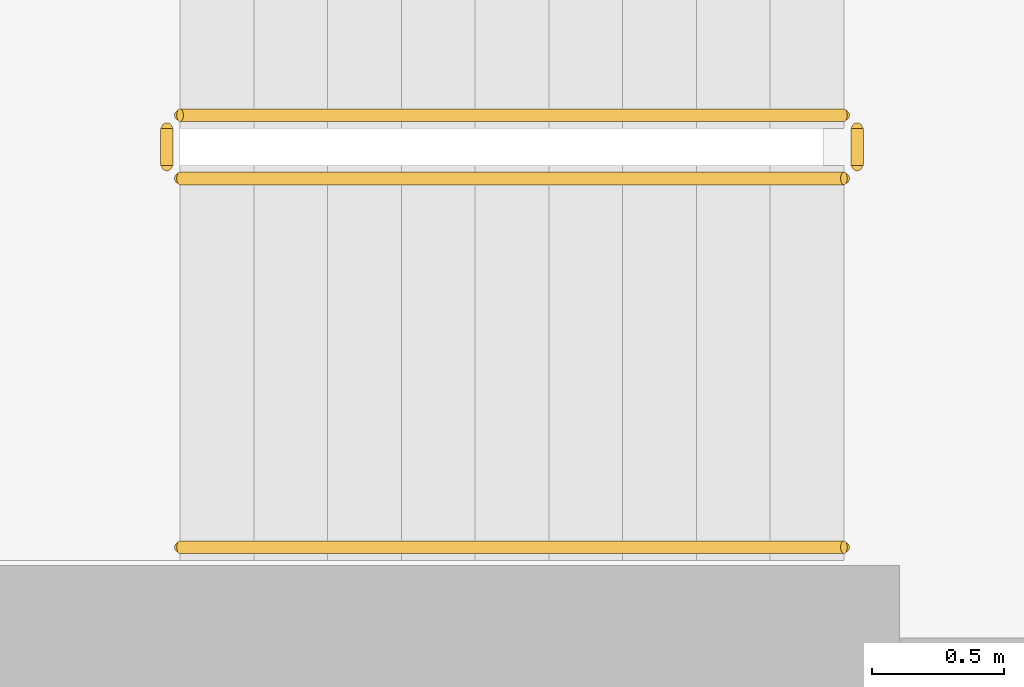
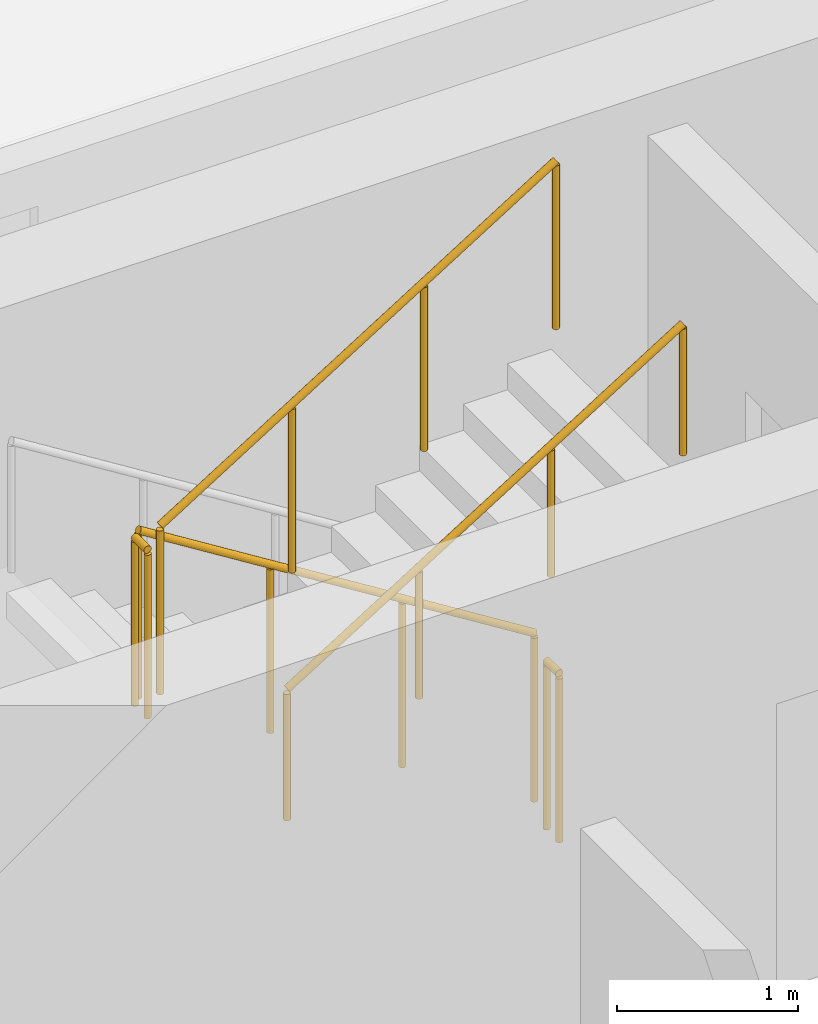
# One storey, part 25 of 27: 5 railings.
"""IFC4 building model written with IfcOpenShell, lengths in metres."""

from ifc_helpers import new_model, si_unit, derived_unit, direction, frame, origin, origin_2d, place, context, subcontext, project, spatial, circle, extrude, material, type_object, element, save


model = new_model("IFC4")

# Units and contexts
model_context = context("Model", 3, precision=1e-05, world=origin(), true_north=direction((0.0, 1.0)))
body_context = subcontext(model_context, "Body", "Model", "MODEL_VIEW")
ifc_project = project(units=[si_unit("LENGTHUNIT", "METRE"), si_unit("AREAUNIT", "SQUARE_METRE"), si_unit("VOLUMEUNIT", "CUBIC_METRE"), si_unit("PLANEANGLEUNIT", "RADIAN"), si_unit("MASSUNIT", "GRAM", prefix="KILO"), derived_unit("THERMALTRANSMITTANCEUNIT", [(si_unit("POWERUNIT", "WATT"), 1), (si_unit("LENGTHUNIT", "METRE"), -2), (si_unit("THERMODYNAMICTEMPERATUREUNIT", "KELVIN"), -1)])], contexts=[model_context])

# Site, building, storey
site_placement = place(None, origin())
site = spatial("IfcSite", under=ifc_project, at=site_placement, CompositionType="ELEMENT")
building_placement = place(site_placement, origin())
building = spatial("IfcBuilding", under=site, at=building_placement, Name="Kivonza Crest Hotel", CompositionType="ELEMENT")
storey_placement = place(building_placement, frame((0.0, 0.0, 31.0)))
storey = spatial("IfcBuildingStorey", under=building, at=storey_placement, Name="L07", CompositionType="ELEMENT", Elevation=31.0)

# Railings
ifc_material_1 = material(Name="Brushed stainless steel handrail", Category="steel")
railing_type_1 = type_object("IfcRailingType", Name="RL-HAND-900", PredefinedType="HANDRAIL", material=ifc_material_1)
railing_1_placement = place(storey_placement, frame((9.719970703125, 33.070068359375, 1.925048828125)))
element("IfcRailing", 1, at=railing_1_placement, inside=storey, type_object=railing_type_1, Name="L07 ST-T1-N stair handrail 2", PredefinedType="HANDRAIL", context=body_context, shape_type="SweptSolid", body=[
    extrude(circle(Radius=0.02392578125, at=origin_2d()), frame((0.0, 0.0, 0.8759765625), z_axis=(0.848007534815, 0.0, 0.529984170421), x_axis=(0.0, 1.0, 0.0)), (0.0, 0.0, 1.0), 2.9716796875),
    extrude(circle(Radius=0.02099609375, at=origin_2d()), origin(), (0.0, 0.0, 1.0), 0.851806640625),
    extrude(circle(Radius=0.02099609375, at=origin_2d()), frame((0.840087890625, 0.0, 0.52490234375)), (0.0, 0.0, 1.0), 0.851806640625),
    extrude(circle(Radius=0.02099609375, at=origin_2d()), frame((1.679931640625, 0.0, 1.050048828125)), (0.0, 0.0, 1.0), 0.851806640625),
    extrude(circle(Radius=0.02099609375, at=origin_2d()), frame((2.52001953125, 0.0, 1.574951171875)), (0.0, 0.0, 1.0), 0.851806640625),
])
ifc_material_2 = material(Name="Painted steel balustrade", Category="steel")
railing_type_2 = type_object("IfcRailingType", Name="RL-STAIR-1150", PredefinedType="BALUSTRADE", material=ifc_material_2)
railing_2_placement = place(storey_placement, frame((12.239990234375, 34.7099609375, 0.175048828125)))
element("IfcRailing", 2, at=railing_2_placement, inside=storey, type_object=railing_type_2, Name="L07 ST-T1-N stair guard 1", PredefinedType="BALUSTRADE", context=body_context, shape_type="SweptSolid", body=[
    extrude(circle(Radius=0.02392578125, at=origin_2d()), frame((0.0, 0.0, 1.1259765625), z_axis=(-0.848007534815, 0.0, 0.529984170421), x_axis=(0.0, -1.0, 0.0)), (0.0, 0.0, 1.0), 2.9716796875),
    extrude(circle(Radius=0.02099609375, at=origin_2d()), origin(), (0.0, 0.0, 1.0), 1.101806640625),
    extrude(circle(Radius=0.02099609375, at=origin_2d()), frame((-0.840087890625, 0.0, 0.52490234375)), (0.0, 0.0, 1.0), 1.101806640625),
    extrude(circle(Radius=0.02099609375, at=origin_2d()), frame((-1.679931640625, 0.0, 1.050048828125)), (0.0, 0.0, 1.0), 1.101806640625),
    extrude(circle(Radius=0.02099609375, at=origin_2d()), frame((-2.52001953125, 0.0, 1.574951171875)), (0.0, 0.0, 1.0), 1.101806640625),
])
railing_3_placement = place(storey_placement, frame((9.669921875, 34.659912109375, 1.75)))
element("IfcRailing", 3, at=railing_3_placement, inside=storey, type_object=railing_type_2, Name="L07 ST-T1-N stair guard 2", PredefinedType="BALUSTRADE", context=body_context, shape_type="SweptSolid", body=[
    extrude(circle(Radius=0.02392578125, at=origin_2d()), frame((0.0, 0.0, 1.1259765625), z_axis=(0.0, -1.0, 0.0), x_axis=(1.0, 0.0, 0.0)), (0.0, 0.0, 1.0), 0.139892578125),
    extrude(circle(Radius=0.02099609375, at=origin_2d()), origin(), (0.0, 0.0, 1.0), 1.101806640625),
    extrude(circle(Radius=0.02099609375, at=origin_2d()), frame((0.0, -0.139892578125, 0.0)), (0.0, 0.0, 1.0), 1.101806640625),
])
railing_4_placement = place(storey_placement, frame((9.719970703125, 34.469970703125, 1.925048828125)))
element("IfcRailing", 4, at=railing_4_placement, inside=storey, type_object=railing_type_2, Name="L07 ST-T1-N stair guard 3", PredefinedType="BALUSTRADE", context=body_context, shape_type="SweptSolid", body=[
    extrude(circle(Radius=0.02392578125, at=origin_2d()), frame((0.0, 0.0, 1.1259765625), z_axis=(0.848007534815, 0.0, 0.529984170421), x_axis=(0.0, 1.0, 0.0)), (0.0, 0.0, 1.0), 2.9716796875),
    extrude(circle(Radius=0.02099609375, at=origin_2d()), origin(), (0.0, 0.0, 1.0), 1.101806640625),
    extrude(circle(Radius=0.02099609375, at=origin_2d()), frame((0.840087890625, 0.0, 0.52490234375)), (0.0, 0.0, 1.0), 1.101806640625),
    extrude(circle(Radius=0.02099609375, at=origin_2d()), frame((1.679931640625, 0.0, 1.050048828125)), (0.0, 0.0, 1.0), 1.101806640625),
    extrude(circle(Radius=0.02099609375, at=origin_2d()), frame((2.52001953125, 0.0, 1.574951171875)), (0.0, 0.0, 1.0), 1.101806640625),
])
railing_5_placement = place(storey_placement, frame((12.2900390625, 34.659912109375, 0.0)))
element("IfcRailing", 5, at=railing_5_placement, inside=storey, type_object=railing_type_2, Name="L07 ST-T1-N stair guard 4", PredefinedType="BALUSTRADE", context=body_context, shape_type="SweptSolid", body=[
    extrude(circle(Radius=0.02392578125, at=origin_2d()), frame((0.0, 0.0, 1.1259765625), z_axis=(0.0, -1.0, 0.0), x_axis=(1.0, 0.0, 0.0)), (0.0, 0.0, 1.0), 0.139892578125),
    extrude(circle(Radius=0.02099609375, at=origin_2d()), origin(), (0.0, 0.0, 1.0), 1.101806640625),
    extrude(circle(Radius=0.02099609375, at=origin_2d()), frame((0.0, -0.139892578125, 0.0)), (0.0, 0.0, 1.0), 1.101806640625),
])

save(model, "model.ifc")
